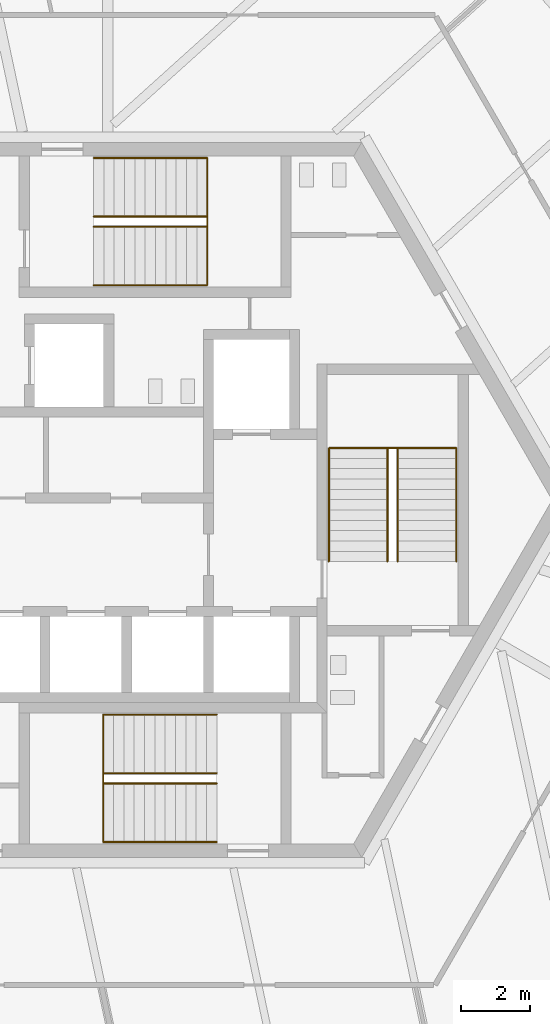
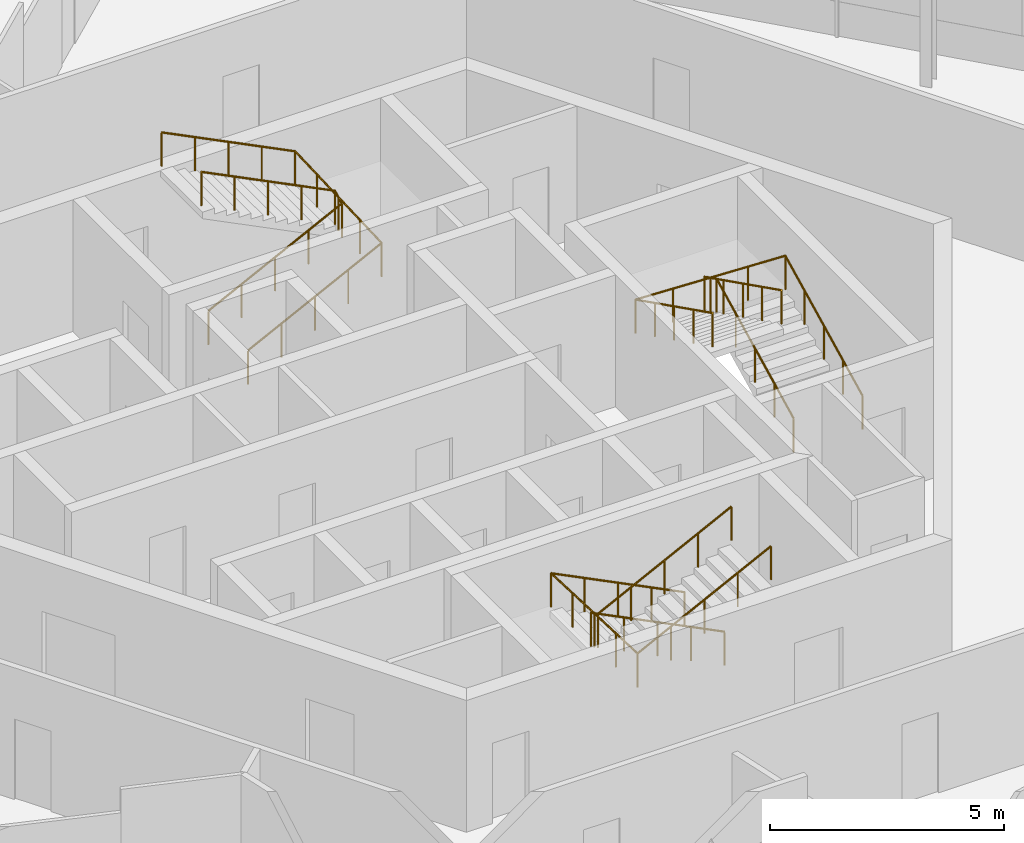
# One storey, part 14 of 15: 6 railings.
"""IFC4 building model written with IfcOpenShell, lengths in metres."""

from ifc_helpers import new_model, si_unit, direction, frame, origin, origin_2d, place, context, subcontext, project, spatial, circle, extrude, source, transform, mapped, material, type_object, element, save


model = new_model("IFC4")

# Units and contexts
model_context = context("Model", 3, precision=1e-05, world=origin(), true_north=direction((0.0, 1.0)))
body_context = subcontext(model_context, "Body", "Model", "MODEL_VIEW")
ifc_project = project(units=[si_unit("LENGTHUNIT", "METRE"), si_unit("AREAUNIT", "SQUARE_METRE"), si_unit("VOLUMEUNIT", "CUBIC_METRE"), si_unit("PLANEANGLEUNIT", "RADIAN"), si_unit("MASSUNIT", "GRAM", prefix="KILO")], contexts=[model_context])

# Site, building, storey
site_placement = place(None, origin())
site = spatial("IfcSite", under=ifc_project, at=site_placement, CompositionType="ELEMENT")
building_placement = place(site_placement, origin())
building = spatial("IfcBuilding", under=site, at=building_placement, Name="Triune Harvest Tower", CompositionType="ELEMENT")
storey_placement = place(building_placement, frame((0.0, 0.0, 270.300048828125)))
storey = spatial("IfcBuildingStorey", under=building, at=storey_placement, Name="L71", CompositionType="ELEMENT", Elevation=270.300048828125)

# Railings
ifc_material = material(Name="Stainless steel AISI 316", Category="steel")
railing_type = type_object("IfcRailingType", Name="Stair handrail", PredefinedType="HANDRAIL", material=ifc_material)
shared_shape_1 = source(origin(), body_context, "Body", "SweptSolid", [
    extrude(circle(Radius=0.02392578125, at=origin_2d()), frame((0.0, 0.0, 0.8759765625), z_axis=(0.894413956696, 0.0, 0.447240063129), x_axis=(0.0, 1.0, 0.0)), (0.0, 0.0, 1.0), 3.689697265625),
    extrude(circle(Radius=0.02392578125, at=origin_2d()), frame((3.300048828125, 0.0, 2.52587890625), z_axis=(0.0, 0.999180289278, 0.040481471304), x_axis=(-1.0, 0.0, 0.0)), (0.0, 0.0, 1.0), 3.702880859375),
    extrude(circle(Radius=0.02392578125, at=origin_2d()), frame((3.300048828125, 3.699951171875, 2.67578125), z_axis=(-0.894440424912, 0.0, 0.447187126696), x_axis=(0.0, -1.0, 0.0)), (0.0, 0.0, 1.0), 3.689453125),
    extrude(circle(Radius=0.02099609375, at=origin_2d()), origin(), (0.0, 0.0, 1.0), 0.851806640625),
    extrude(circle(Radius=0.02099609375, at=origin_2d()), frame((0.824951171875, 0.0, 0.41259765625)), (0.0, 0.0, 1.0), 0.851806640625),
    extrude(circle(Radius=0.02099609375, at=origin_2d()), frame((1.64990234375, 0.0, 0.8251953125)), (0.0, 0.0, 1.0), 0.851806640625),
    extrude(circle(Radius=0.02099609375, at=origin_2d()), frame((2.47509765625, 0.0, 1.237548828125)), (0.0, 0.0, 1.0), 0.851806640625),
    extrude(circle(Radius=0.02099609375, at=origin_2d()), frame((3.300048828125, 0.0, 1.650146484375)), (0.0, 0.0, 1.0), 0.851806640625),
    extrude(circle(Radius=0.02099609375, at=origin_2d()), frame((3.300048828125, 0.925048828125, 1.6875)), (0.0, 0.0, 1.0), 0.851806640625),
    extrude(circle(Radius=0.02099609375, at=origin_2d()), frame((3.300048828125, 1.85009765625, 1.72509765625)), (0.0, 0.0, 1.0), 0.851806640625),
    extrude(circle(Radius=0.02099609375, at=origin_2d()), frame((3.300048828125, 2.77490234375, 1.7626953125)), (0.0, 0.0, 1.0), 0.851806640625),
    extrude(circle(Radius=0.02099609375, at=origin_2d()), frame((3.300048828125, 3.699951171875, 1.800048828125)), (0.0, 0.0, 1.0), 0.851806640625),
    extrude(circle(Radius=0.02099609375, at=origin_2d()), frame((2.47509765625, 3.699951171875, 2.21240234375)), (0.0, 0.0, 1.0), 0.851806640625),
    extrude(circle(Radius=0.02099609375, at=origin_2d()), frame((1.64990234375, 3.699951171875, 2.625)), (0.0, 0.0, 1.0), 0.851806640625),
    extrude(circle(Radius=0.02099609375, at=origin_2d()), frame((0.824951171875, 3.699951171875, 3.03759765625)), (0.0, 0.0, 1.0), 0.851806640625),
    extrude(circle(Radius=0.02099609375, at=origin_2d()), frame((0.0, 3.699951171875, 3.449951171875)), (0.0, 0.0, 1.0), 0.851806640625),
])
railing_1_placement = place(storey_placement, frame((-1.7900390625, 6.239990234375, 0.14990234375)))
element("IfcRailing", 1, at=railing_1_placement, inside=storey, type_object=railing_type, Name="Exit stair north wall handrail", PredefinedType="HANDRAIL", context=body_context, shape_type="MappedRepresentation", body=[
    mapped(shared_shape_1, transform((0.0, 0.0, 0.0), scale=1.0)),
])
shared_shape_2 = source(origin(), body_context, "Body", "SweptSolid", [
    extrude(circle(Radius=0.02392578125, at=origin_2d()), frame((0.0, 0.0, 0.8759765625), z_axis=(0.894413956696, 0.0, 0.447240063129), x_axis=(0.0, 1.0, 0.0)), (0.0, 0.0, 1.0), 3.689697265625),
    extrude(circle(Radius=0.02392578125, at=origin_2d()), frame((3.300048828125, 0.0, 2.52587890625), z_axis=(0.0, 0.894572720946, 0.446922417137), x_axis=(-1.0, 0.0, 0.0)), (0.0, 0.0, 1.0), 0.33544921875),
    extrude(circle(Radius=0.02392578125, at=origin_2d()), frame((3.300048828125, 0.300048828125, 2.67578125), z_axis=(-0.894440424912, 0.0, 0.447187126696), x_axis=(0.0, -1.0, 0.0)), (0.0, 0.0, 1.0), 3.689453125),
    extrude(circle(Radius=0.02099609375, at=origin_2d()), origin(), (0.0, 0.0, 1.0), 0.851806640625),
    extrude(circle(Radius=0.02099609375, at=origin_2d()), frame((0.824951171875, 0.0, 0.41259765625)), (0.0, 0.0, 1.0), 0.851806640625),
    extrude(circle(Radius=0.02099609375, at=origin_2d()), frame((1.64990234375, 0.0, 0.8251953125)), (0.0, 0.0, 1.0), 0.851806640625),
    extrude(circle(Radius=0.02099609375, at=origin_2d()), frame((2.47509765625, 0.0, 1.237548828125)), (0.0, 0.0, 1.0), 0.851806640625),
    extrude(circle(Radius=0.02099609375, at=origin_2d()), frame((3.300048828125, 0.0, 1.650146484375)), (0.0, 0.0, 1.0), 0.851806640625),
    extrude(circle(Radius=0.02099609375, at=origin_2d()), frame((3.300048828125, 0.300048828125, 1.800048828125)), (0.0, 0.0, 1.0), 0.851806640625),
    extrude(circle(Radius=0.02099609375, at=origin_2d()), frame((2.47509765625, 0.300048828125, 2.21240234375)), (0.0, 0.0, 1.0), 0.851806640625),
    extrude(circle(Radius=0.02099609375, at=origin_2d()), frame((1.64990234375, 0.300048828125, 2.625)), (0.0, 0.0, 1.0), 0.851806640625),
    extrude(circle(Radius=0.02099609375, at=origin_2d()), frame((0.824951171875, 0.300048828125, 3.03759765625)), (0.0, 0.0, 1.0), 0.851806640625),
    extrude(circle(Radius=0.02099609375, at=origin_2d()), frame((0.0, 0.300048828125, 3.449951171875)), (0.0, 0.0, 1.0), 0.851806640625),
])
railing_2_placement = place(storey_placement, frame((-1.7900390625, 7.93994140625, 0.14990234375)))
element("IfcRailing", 2, at=railing_2_placement, inside=storey, type_object=railing_type, Name="Exit stair north centre handrail", PredefinedType="HANDRAIL", context=body_context, shape_type="MappedRepresentation", body=[
    mapped(shared_shape_2, transform((0.0, 0.0, 0.0), scale=1.0)),
])
shared_shape_3 = source(origin(), body_context, "Body", "SweptSolid", [
    extrude(circle(Radius=0.02392578125, at=origin_2d()), frame((0.0, 0.0, 0.8759765625), z_axis=(-0.894413956696, 0.0, 0.447240063129), x_axis=(0.0, -1.0, 0.0)), (0.0, 0.0, 1.0), 3.689697265625),
    extrude(circle(Radius=0.02392578125, at=origin_2d()), frame((-3.300048828125, 0.0, 2.52587890625), z_axis=(0.0, -0.999180289278, 0.040481471304), x_axis=(1.0, 0.0, 0.0)), (0.0, 0.0, 1.0), 3.702880859375),
    extrude(circle(Radius=0.02392578125, at=origin_2d()), frame((-3.300048828125, -3.699951171875, 2.67578125), z_axis=(0.894440424912, 0.0, 0.447187126696), x_axis=(0.0, 1.0, 0.0)), (0.0, 0.0, 1.0), 3.689453125),
    extrude(circle(Radius=0.02099609375, at=origin_2d()), origin(), (0.0, 0.0, 1.0), 0.851806640625),
    extrude(circle(Radius=0.02099609375, at=origin_2d()), frame((-0.824951171875, 0.0, 0.41259765625)), (0.0, 0.0, 1.0), 0.851806640625),
    extrude(circle(Radius=0.02099609375, at=origin_2d()), frame((-1.64990234375, 0.0, 0.8251953125)), (0.0, 0.0, 1.0), 0.851806640625),
    extrude(circle(Radius=0.02099609375, at=origin_2d()), frame((-2.47509765625, 0.0, 1.237548828125)), (0.0, 0.0, 1.0), 0.851806640625),
    extrude(circle(Radius=0.02099609375, at=origin_2d()), frame((-3.300048828125, 0.0, 1.650146484375)), (0.0, 0.0, 1.0), 0.851806640625),
    extrude(circle(Radius=0.02099609375, at=origin_2d()), frame((-3.300048828125, -0.925048828125, 1.6875)), (0.0, 0.0, 1.0), 0.851806640625),
    extrude(circle(Radius=0.02099609375, at=origin_2d()), frame((-3.300048828125, -1.85009765625, 1.72509765625)), (0.0, 0.0, 1.0), 0.851806640625),
    extrude(circle(Radius=0.02099609375, at=origin_2d()), frame((-3.300048828125, -2.77490234375, 1.7626953125)), (0.0, 0.0, 1.0), 0.851806640625),
    extrude(circle(Radius=0.02099609375, at=origin_2d()), frame((-3.300048828125, -3.699951171875, 1.800048828125)), (0.0, 0.0, 1.0), 0.851806640625),
    extrude(circle(Radius=0.02099609375, at=origin_2d()), frame((-2.47509765625, -3.699951171875, 2.21240234375)), (0.0, 0.0, 1.0), 0.851806640625),
    extrude(circle(Radius=0.02099609375, at=origin_2d()), frame((-1.64990234375, -3.699951171875, 2.625)), (0.0, 0.0, 1.0), 0.851806640625),
    extrude(circle(Radius=0.02099609375, at=origin_2d()), frame((-0.824951171875, -3.699951171875, 3.03759765625)), (0.0, 0.0, 1.0), 0.851806640625),
    extrude(circle(Radius=0.02099609375, at=origin_2d()), frame((0.0, -3.699951171875, 3.449951171875)), (0.0, 0.0, 1.0), 0.851806640625),
])
railing_3_placement = place(storey_placement, frame((1.7900390625, -6.239990234375, 0.14990234375)))
element("IfcRailing", 3, at=railing_3_placement, inside=storey, type_object=railing_type, Name="Exit stair south wall handrail", PredefinedType="HANDRAIL", context=body_context, shape_type="MappedRepresentation", body=[
    mapped(shared_shape_3, transform((0.0, 0.0, 0.0), scale=1.0)),
])
shared_shape_4 = source(origin(), body_context, "Body", "SweptSolid", [
    extrude(circle(Radius=0.02392578125, at=origin_2d()), frame((0.0, 0.0, 0.8759765625), z_axis=(-0.894413956696, 0.0, 0.447240063129), x_axis=(0.0, -1.0, 0.0)), (0.0, 0.0, 1.0), 3.689697265625),
    extrude(circle(Radius=0.02392578125, at=origin_2d()), frame((-3.300048828125, 0.0, 2.52587890625), z_axis=(0.0, -0.894572720946, 0.446922417137), x_axis=(1.0, 0.0, 0.0)), (0.0, 0.0, 1.0), 0.33544921875),
    extrude(circle(Radius=0.02392578125, at=origin_2d()), frame((-3.300048828125, -0.300048828125, 2.67578125), z_axis=(0.894440424912, 0.0, 0.447187126696), x_axis=(0.0, 1.0, 0.0)), (0.0, 0.0, 1.0), 3.689453125),
    extrude(circle(Radius=0.02099609375, at=origin_2d()), origin(), (0.0, 0.0, 1.0), 0.851806640625),
    extrude(circle(Radius=0.02099609375, at=origin_2d()), frame((-0.824951171875, 0.0, 0.41259765625)), (0.0, 0.0, 1.0), 0.851806640625),
    extrude(circle(Radius=0.02099609375, at=origin_2d()), frame((-1.64990234375, 0.0, 0.8251953125)), (0.0, 0.0, 1.0), 0.851806640625),
    extrude(circle(Radius=0.02099609375, at=origin_2d()), frame((-2.47509765625, 0.0, 1.237548828125)), (0.0, 0.0, 1.0), 0.851806640625),
    extrude(circle(Radius=0.02099609375, at=origin_2d()), frame((-3.300048828125, 0.0, 1.650146484375)), (0.0, 0.0, 1.0), 0.851806640625),
    extrude(circle(Radius=0.02099609375, at=origin_2d()), frame((-3.300048828125, -0.300048828125, 1.800048828125)), (0.0, 0.0, 1.0), 0.851806640625),
    extrude(circle(Radius=0.02099609375, at=origin_2d()), frame((-2.47509765625, -0.300048828125, 2.21240234375)), (0.0, 0.0, 1.0), 0.851806640625),
    extrude(circle(Radius=0.02099609375, at=origin_2d()), frame((-1.64990234375, -0.300048828125, 2.625)), (0.0, 0.0, 1.0), 0.851806640625),
    extrude(circle(Radius=0.02099609375, at=origin_2d()), frame((-0.824951171875, -0.300048828125, 3.03759765625)), (0.0, 0.0, 1.0), 0.851806640625),
    extrude(circle(Radius=0.02099609375, at=origin_2d()), frame((0.0, -0.300048828125, 3.449951171875)), (0.0, 0.0, 1.0), 0.851806640625),
])
railing_4_placement = place(storey_placement, frame((1.7900390625, -7.93994140625, 0.14990234375)))
element("IfcRailing", 4, at=railing_4_placement, inside=storey, type_object=railing_type, Name="Exit stair south centre handrail", PredefinedType="HANDRAIL", context=body_context, shape_type="MappedRepresentation", body=[
    mapped(shared_shape_4, transform((0.0, 0.0, 0.0), scale=1.0)),
])
shared_shape_5 = source(origin(), body_context, "Body", "SweptSolid", [
    extrude(circle(Radius=0.02392578125, at=origin_2d()), frame((0.0, 0.0, 0.8759765625), z_axis=(0.0, 0.894413956696, 0.447240063129), x_axis=(-1.0, 0.0, 0.0)), (0.0, 0.0, 1.0), 3.689697265625),
    extrude(circle(Radius=0.02392578125, at=origin_2d()), frame((0.0, 3.300048828125, 2.52587890625), z_axis=(-0.999180289278, 0.0, 0.040481471304), x_axis=(0.0, -1.0, 0.0)), (0.0, 0.0, 1.0), 3.702880859375),
    extrude(circle(Radius=0.02392578125, at=origin_2d()), frame((-3.699951171875, 3.300048828125, 2.67578125), z_axis=(0.0, -0.894440424912, 0.447187126696), x_axis=(1.0, 0.0, 0.0)), (0.0, 0.0, 1.0), 3.689453125),
    extrude(circle(Radius=0.02099609375, at=origin_2d()), origin(), (0.0, 0.0, 1.0), 0.851806640625),
    extrude(circle(Radius=0.02099609375, at=origin_2d()), frame((0.0, 0.824951171875, 0.41259765625)), (0.0, 0.0, 1.0), 0.851806640625),
    extrude(circle(Radius=0.02099609375, at=origin_2d()), frame((0.0, 1.64990234375, 0.8251953125)), (0.0, 0.0, 1.0), 0.851806640625),
    extrude(circle(Radius=0.02099609375, at=origin_2d()), frame((0.0, 2.47509765625, 1.237548828125)), (0.0, 0.0, 1.0), 0.851806640625),
    extrude(circle(Radius=0.02099609375, at=origin_2d()), frame((0.0, 3.300048828125, 1.650146484375)), (0.0, 0.0, 1.0), 0.851806640625),
    extrude(circle(Radius=0.02099609375, at=origin_2d()), frame((-0.925048828125, 3.300048828125, 1.6875)), (0.0, 0.0, 1.0), 0.851806640625),
    extrude(circle(Radius=0.02099609375, at=origin_2d()), frame((-1.85009765625, 3.300048828125, 1.72509765625)), (0.0, 0.0, 1.0), 0.851806640625),
    extrude(circle(Radius=0.02099609375, at=origin_2d()), frame((-2.77490234375, 3.300048828125, 1.7626953125)), (0.0, 0.0, 1.0), 0.851806640625),
    extrude(circle(Radius=0.02099609375, at=origin_2d()), frame((-3.699951171875, 3.300048828125, 1.800048828125)), (0.0, 0.0, 1.0), 0.851806640625),
    extrude(circle(Radius=0.02099609375, at=origin_2d()), frame((-3.699951171875, 2.47509765625, 2.21240234375)), (0.0, 0.0, 1.0), 0.851806640625),
    extrude(circle(Radius=0.02099609375, at=origin_2d()), frame((-3.699951171875, 1.64990234375, 2.625)), (0.0, 0.0, 1.0), 0.851806640625),
    extrude(circle(Radius=0.02099609375, at=origin_2d()), frame((-3.699951171875, 0.824951171875, 3.03759765625)), (0.0, 0.0, 1.0), 0.851806640625),
    extrude(circle(Radius=0.02099609375, at=origin_2d()), frame((-3.699951171875, 0.0, 3.449951171875)), (0.0, 0.0, 1.0), 0.851806640625),
])
railing_5_placement = place(storey_placement, frame((8.75, -1.7900390625, 0.14990234375)))
element("IfcRailing", 5, at=railing_5_placement, inside=storey, type_object=railing_type, Name="Exit stair east wall handrail", PredefinedType="HANDRAIL", context=body_context, shape_type="MappedRepresentation", body=[
    mapped(shared_shape_5, transform((0.0, 0.0, 0.0), scale=1.0)),
])
shared_shape_6 = source(origin(), body_context, "Body", "SweptSolid", [
    extrude(circle(Radius=0.02392578125, at=origin_2d()), frame((0.0, 0.0, 0.8759765625), z_axis=(0.0, 0.894413956696, 0.447240063129), x_axis=(-1.0, 0.0, 0.0)), (0.0, 0.0, 1.0), 3.689697265625),
    extrude(circle(Radius=0.02392578125, at=origin_2d()), frame((0.0, 3.300048828125, 2.52587890625), z_axis=(-0.894572720946, 0.0, 0.446922417137), x_axis=(0.0, -1.0, 0.0)), (0.0, 0.0, 1.0), 0.33544921875),
    extrude(circle(Radius=0.02392578125, at=origin_2d()), frame((-0.300048828125, 3.300048828125, 2.67578125), z_axis=(0.0, -0.894440424912, 0.447187126696), x_axis=(1.0, 0.0, 0.0)), (0.0, 0.0, 1.0), 3.689453125),
    extrude(circle(Radius=0.02099609375, at=origin_2d()), origin(), (0.0, 0.0, 1.0), 0.851806640625),
    extrude(circle(Radius=0.02099609375, at=origin_2d()), frame((0.0, 0.824951171875, 0.41259765625)), (0.0, 0.0, 1.0), 0.851806640625),
    extrude(circle(Radius=0.02099609375, at=origin_2d()), frame((0.0, 1.64990234375, 0.8251953125)), (0.0, 0.0, 1.0), 0.851806640625),
    extrude(circle(Radius=0.02099609375, at=origin_2d()), frame((0.0, 2.47509765625, 1.237548828125)), (0.0, 0.0, 1.0), 0.851806640625),
    extrude(circle(Radius=0.02099609375, at=origin_2d()), frame((0.0, 3.300048828125, 1.650146484375)), (0.0, 0.0, 1.0), 0.851806640625),
    extrude(circle(Radius=0.02099609375, at=origin_2d()), frame((-0.300048828125, 3.300048828125, 1.800048828125)), (0.0, 0.0, 1.0), 0.851806640625),
    extrude(circle(Radius=0.02099609375, at=origin_2d()), frame((-0.300048828125, 2.47509765625, 2.21240234375)), (0.0, 0.0, 1.0), 0.851806640625),
    extrude(circle(Radius=0.02099609375, at=origin_2d()), frame((-0.300048828125, 1.64990234375, 2.625)), (0.0, 0.0, 1.0), 0.851806640625),
    extrude(circle(Radius=0.02099609375, at=origin_2d()), frame((-0.300048828125, 0.824951171875, 3.03759765625)), (0.0, 0.0, 1.0), 0.851806640625),
    extrude(circle(Radius=0.02099609375, at=origin_2d()), frame((-0.300048828125, 0.0, 3.449951171875)), (0.0, 0.0, 1.0), 0.851806640625),
])
railing_6_placement = place(storey_placement, frame((7.050048828125, -1.7900390625, 0.14990234375)))
element("IfcRailing", 6, at=railing_6_placement, inside=storey, type_object=railing_type, Name="Exit stair east centre handrail", PredefinedType="HANDRAIL", context=body_context, shape_type="MappedRepresentation", body=[
    mapped(shared_shape_6, transform((0.0, 0.0, 0.0), scale=1.0)),
])

save(model, "model.ifc")
